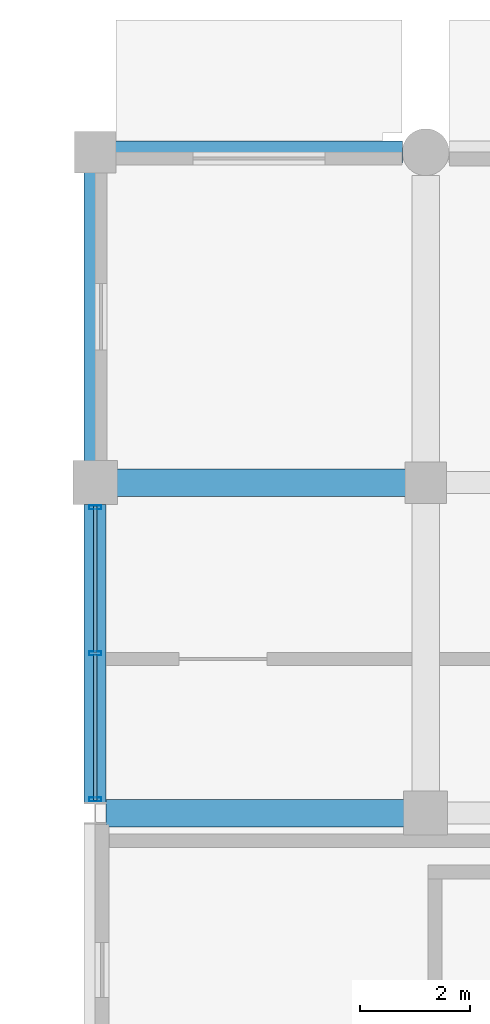
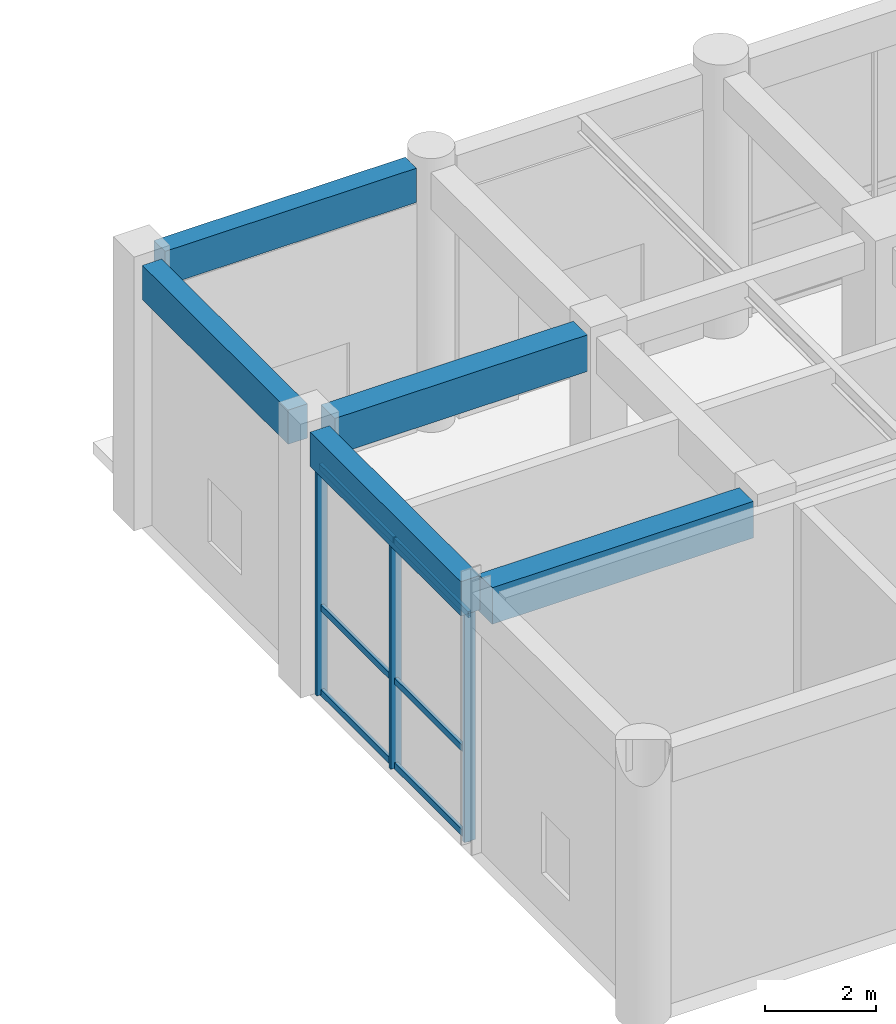
# One storey, part 38 of 106: 9 members, 5 beams, 1 element without a shape of its own.
"""IFC4 building model written with IfcOpenShell, lengths in metres."""

from ifc_helpers import new_model, si_unit, direction, frame, origin, origin_2d, place, context, subcontext, project, spatial, rectangle, hollow_rectangle, extrude, material, material_profile, profile_set, type_object, element, aggregate, save


model = new_model("IFC4")

# Units and contexts
model_context = context("Model", 3, precision=1e-05, world=origin(), true_north=direction((0.0, 1.0)))
body_context = subcontext(model_context, "Body", "Model", "MODEL_VIEW")
ifc_project = project(units=[si_unit("LENGTHUNIT", "METRE"), si_unit("AREAUNIT", "SQUARE_METRE"), si_unit("VOLUMEUNIT", "CUBIC_METRE"), si_unit("PLANEANGLEUNIT", "RADIAN"), si_unit("MASSUNIT", "GRAM", prefix="KILO"), si_unit("THERMODYNAMICTEMPERATUREUNIT", "KELVIN"), si_unit("POWERUNIT", "WATT")], contexts=[model_context])

# Site, building, storey
site_placement = place(None, origin())
site = spatial("IfcSite", under=ifc_project, at=site_placement, CompositionType="ELEMENT")
building_placement = place(site_placement, origin())
building = spatial("IfcBuilding", under=site, at=building_placement, Name="Phaisarnlok Congress Hotel", CompositionType="ELEMENT")
storey_placement = place(building_placement, origin())
storey = spatial("IfcBuildingStorey", under=building, at=storey_placement, Name="L00", CompositionType="ELEMENT", Elevation=0.0)

# Beams
ifc_material_1 = material(Name="Concrete C40/50", Category="concrete")
ifc_material_profile_1 = material_profile(ifc_material_1, rectangle(XDim=0.5, YDim=0.800048828125, at=origin_2d()), Name="RC 500x800")
ifc_profile_set_1 = profile_set([ifc_material_profile_1], Name="Concrete C40/50")
beam_type_1 = type_object("IfcBeamType", Name="BM-RC-500x800", PredefinedType="BEAM", material=ifc_profile_set_1)
beam_1_placement = place(storey_placement, frame((60.195556640625, 114.0, 5.360107421875), z_axis=(1.0, 0.0, 0.0), x_axis=(0.0, 1.0, 0.0)))
element("IfcBeam", 1, at=beam_1_placement, inside=storey, type_object=beam_type_1, Name="Beam B-04", PredefinedType="BEAM", context=body_context, shape_type="SweptSolid", body=[
    extrude(rectangle(XDim=0.5, YDim=0.800048828125, at=origin_2d()), origin(), (0.0, 0.0, 1.0), 5.409423828125),
])
beam_2_placement = place(storey_placement, frame((60.39501953125, 120.0, 5.360107421875), z_axis=(1.0, 0.0, 0.0), x_axis=(0.0, 1.0, 0.0)))
element("IfcBeam", 2, at=beam_2_placement, inside=storey, type_object=beam_type_1, Name="Beam B-04", PredefinedType="BEAM", context=body_context, shape_type="SweptSolid", body=[
    extrude(rectangle(XDim=0.5, YDim=0.800048828125, at=origin_2d()), origin(), (0.0, 0.0, 1.0), 5.23486328125),
])

# Curtain wall, members
ifc_material_2 = material(Name="Thermally Broken Unitised Aluminium & Low-E Glazing", Category="aluminium")
curtain_wall_type = type_object("IfcCurtainWallType", Name="CW-UNIT-04", PredefinedType="NOTDEFINED", material=ifc_material_2)
curtain_wall_placement = place(storey_placement, origin())
curtain_wall = element("IfcCurtainWall", 3, at=curtain_wall_placement, inside=storey, type_object=curtain_wall_type, Name="Unitised curtain wall CW-04 (L00)", PredefinedType="NOTDEFINED")
ifc_material_3 = material(Name="Anodised Aluminium Alloy 6063-T6", Category="aluminium")
ifc_material_profile_2 = material_profile(ifc_material_3, hollow_rectangle(XDim=0.074951171875, YDim=0.219970703125, WallThickness=0.0048828125, at=origin_2d()), Name="ALU-M 75x220x5")
ifc_profile_set_2 = profile_set([ifc_material_profile_2], Name="Anodised Aluminium Alloy 6063-T6")
member_type_1 = type_object("IfcMemberType", Name="CWM-220", PredefinedType="MULLION", material=ifc_profile_set_2)
member_1_placement = place(storey_placement, frame((60.0, 119.550048828125, 0.0), z_axis=(0.0, 0.0, 1.0), x_axis=(0.0, -1.0, 0.0)))
member_1 = element("IfcMember", 4, at=member_1_placement, type_object=member_type_1, Name="Curtain wall mullion CWM-02", PredefinedType="MULLION", context=body_context, shape_type="SweptSolid", body=[
    extrude(hollow_rectangle(XDim=0.074951171875, YDim=0.219970703125, WallThickness=0.0048828125, at=origin_2d()), origin(), (0.0, 0.0, 1.0), 5.010009765625),
])
member_2_placement = place(storey_placement, frame((60.0, 116.899658203125, 0.0), z_axis=(0.0, 0.0, 1.0), x_axis=(0.0, -1.0, 0.0)))
member_2 = element("IfcMember", 5, at=member_2_placement, type_object=member_type_1, Name="Curtain wall mullion CWM-02", PredefinedType="MULLION", context=body_context, shape_type="SweptSolid", body=[
    extrude(hollow_rectangle(XDim=0.074951171875, YDim=0.219970703125, WallThickness=0.0048828125, at=origin_2d()), origin(), (0.0, 0.0, 1.0), 5.010009765625),
])
member_3_placement = place(storey_placement, frame((60.0, 114.24951171875, 0.0), z_axis=(0.0, 0.0, 1.0), x_axis=(0.0, -1.0, 0.0)))
member_3 = element("IfcMember", 6, at=member_3_placement, type_object=member_type_1, Name="Curtain wall mullion CWM-02", PredefinedType="MULLION", context=body_context, shape_type="SweptSolid", body=[
    extrude(hollow_rectangle(XDim=0.074951171875, YDim=0.219970703125, WallThickness=0.0048828125, at=origin_2d()), origin(), (0.0, 0.0, 1.0), 5.010009765625),
])
ifc_material_profile_3 = material_profile(ifc_material_3, hollow_rectangle(XDim=0.06494140625, YDim=0.139892578125, WallThickness=0.00390625, at=origin_2d()), Name="ALU-T 65x140x4")
ifc_profile_set_3 = profile_set([ifc_material_profile_3], Name="Anodised Aluminium Alloy 6063-T6")
member_type_2 = type_object("IfcMemberType", Name="CWT-150", PredefinedType="USERDEFINED", material=ifc_profile_set_3)
member_4_placement = place(storey_placement, frame((60.0, 119.574951171875, 0.050048828125), z_axis=(0.0, -1.0, 0.0), x_axis=(1.0, 0.0, 0.0)))
member_4 = element("IfcMember", 7, at=member_4_placement, type_object=member_type_2, Name="Curtain wall transom CWT-01", ObjectType="TRANSOM", PredefinedType="USERDEFINED", context=body_context, shape_type="SweptSolid", body=[
    extrude(hollow_rectangle(XDim=0.06494140625, YDim=0.139892578125, WallThickness=0.00390625, at=origin_2d()), origin(), (0.0, 0.0, 1.0), 2.66015625),
])
member_5_placement = place(storey_placement, frame((60.0, 119.574951171875, 1.90380859375), z_axis=(0.0, -1.0, 0.0), x_axis=(1.0, 0.0, 0.0)))
member_5 = element("IfcMember", 8, at=member_5_placement, type_object=member_type_2, Name="Curtain wall transom CWT-01", ObjectType="TRANSOM", PredefinedType="USERDEFINED", context=body_context, shape_type="SweptSolid", body=[
    extrude(hollow_rectangle(XDim=0.06494140625, YDim=0.139892578125, WallThickness=0.00390625, at=origin_2d()), origin(), (0.0, 0.0, 1.0), 2.66015625),
])
member_6_placement = place(storey_placement, frame((60.0, 119.574951171875, 4.9599609375), z_axis=(0.0, -1.0, 0.0), x_axis=(1.0, 0.0, 0.0)))
member_6 = element("IfcMember", 9, at=member_6_placement, type_object=member_type_2, Name="Curtain wall transom CWT-01", ObjectType="TRANSOM", PredefinedType="USERDEFINED", context=body_context, shape_type="SweptSolid", body=[
    extrude(hollow_rectangle(XDim=0.06494140625, YDim=0.139892578125, WallThickness=0.00390625, at=origin_2d()), origin(), (0.0, 0.0, 1.0), 2.66015625),
])
member_7_placement = place(storey_placement, frame((60.0, 116.884765625, 0.050048828125), z_axis=(0.0, -1.0, 0.0), x_axis=(1.0, 0.0, 0.0)))
member_7 = element("IfcMember", 10, at=member_7_placement, type_object=member_type_2, Name="Curtain wall transom CWT-01", ObjectType="TRANSOM", PredefinedType="USERDEFINED", context=body_context, shape_type="SweptSolid", body=[
    extrude(hollow_rectangle(XDim=0.06494140625, YDim=0.139892578125, WallThickness=0.00390625, at=origin_2d()), origin(), (0.0, 0.0, 1.0), 2.66015625),
])
member_8_placement = place(storey_placement, frame((60.0, 116.884765625, 1.90380859375), z_axis=(0.0, -1.0, 0.0), x_axis=(1.0, 0.0, 0.0)))
member_8 = element("IfcMember", 11, at=member_8_placement, type_object=member_type_2, Name="Curtain wall transom CWT-01", ObjectType="TRANSOM", PredefinedType="USERDEFINED", context=body_context, shape_type="SweptSolid", body=[
    extrude(hollow_rectangle(XDim=0.06494140625, YDim=0.139892578125, WallThickness=0.00390625, at=origin_2d()), origin(), (0.0, 0.0, 1.0), 2.66015625),
])
member_9_placement = place(storey_placement, frame((60.0, 116.884765625, 4.9599609375), z_axis=(0.0, -1.0, 0.0), x_axis=(1.0, 0.0, 0.0)))
member_9 = element("IfcMember", 12, at=member_9_placement, type_object=member_type_2, Name="Curtain wall transom CWT-01", ObjectType="TRANSOM", PredefinedType="USERDEFINED", context=body_context, shape_type="SweptSolid", body=[
    extrude(hollow_rectangle(XDim=0.06494140625, YDim=0.139892578125, WallThickness=0.00390625, at=origin_2d()), origin(), (0.0, 0.0, 1.0), 2.66015625),
])
aggregate(curtain_wall, [member_1, member_2, member_3, member_4, member_5, member_6, member_7, member_8, member_9])

# Beams
ifc_material_profile_4 = material_profile(ifc_material_1, rectangle(XDim=0.39990234375, YDim=0.75, at=origin_2d()), Name="RC 400x750")
ifc_profile_set_4 = profile_set([ifc_material_profile_4], Name="Concrete C40/50")
beam_type_2 = type_object("IfcBeamType", Name="SP-RC-400x750", PredefinedType="SPANDREL", material=ifc_profile_set_4)
beam_3_placement = place(storey_placement, frame((60.0, 114.194580078125, 5.385009765625), z_axis=(0.0, 1.0, 0.0), x_axis=(-1.0, 0.0, 0.0)))
element("IfcBeam", 13, at=beam_3_placement, inside=storey, type_object=beam_type_2, Name="Beam SP-02", PredefinedType="SPANDREL", context=body_context, shape_type="SweptSolid", body=[
    extrude(rectangle(XDim=0.39990234375, YDim=0.75, at=origin_2d()), origin(), (0.0, 0.0, 1.0), 5.410400390625),
])
beam_4_placement = place(storey_placement, frame((60.0, 120.39501953125, 5.385009765625), z_axis=(0.0, 1.0, 0.0), x_axis=(-1.0, 0.0, 0.0)))
element("IfcBeam", 14, at=beam_4_placement, inside=storey, type_object=beam_type_2, Name="Beam SP-02", PredefinedType="SPANDREL", context=body_context, shape_type="SweptSolid", body=[
    extrude(rectangle(XDim=0.39990234375, YDim=0.75, at=origin_2d()), origin(), (0.0, 0.0, 1.0), 5.23486328125),
])
beam_5_placement = place(storey_placement, frame((60.3701171875, 126.0, 5.385009765625), z_axis=(1.0, 0.0, 0.0), x_axis=(0.0, 1.0, 0.0)))
element("IfcBeam", 15, at=beam_5_placement, inside=storey, type_object=beam_type_2, Name="Beam SP-02", PredefinedType="SPANDREL", context=body_context, shape_type="SweptSolid", body=[
    extrude(rectangle(XDim=0.39990234375, YDim=0.75, at=origin_2d()), origin(), (0.0, 0.0, 1.0), 5.2099609375),
])

save(model, "model.ifc")
